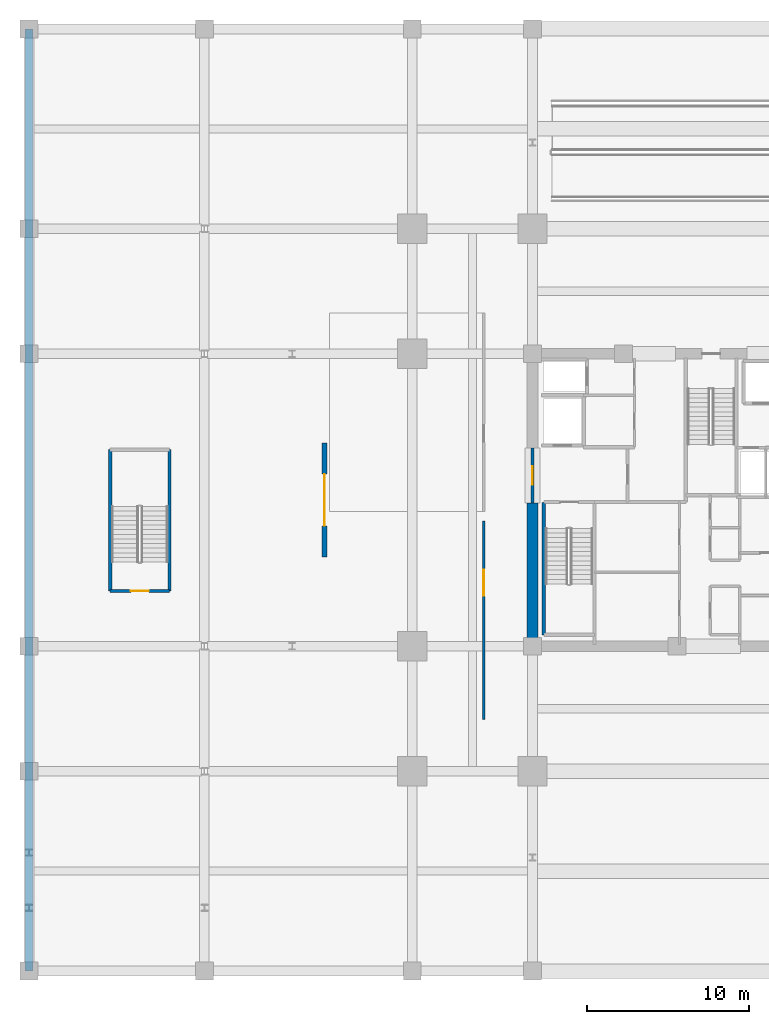
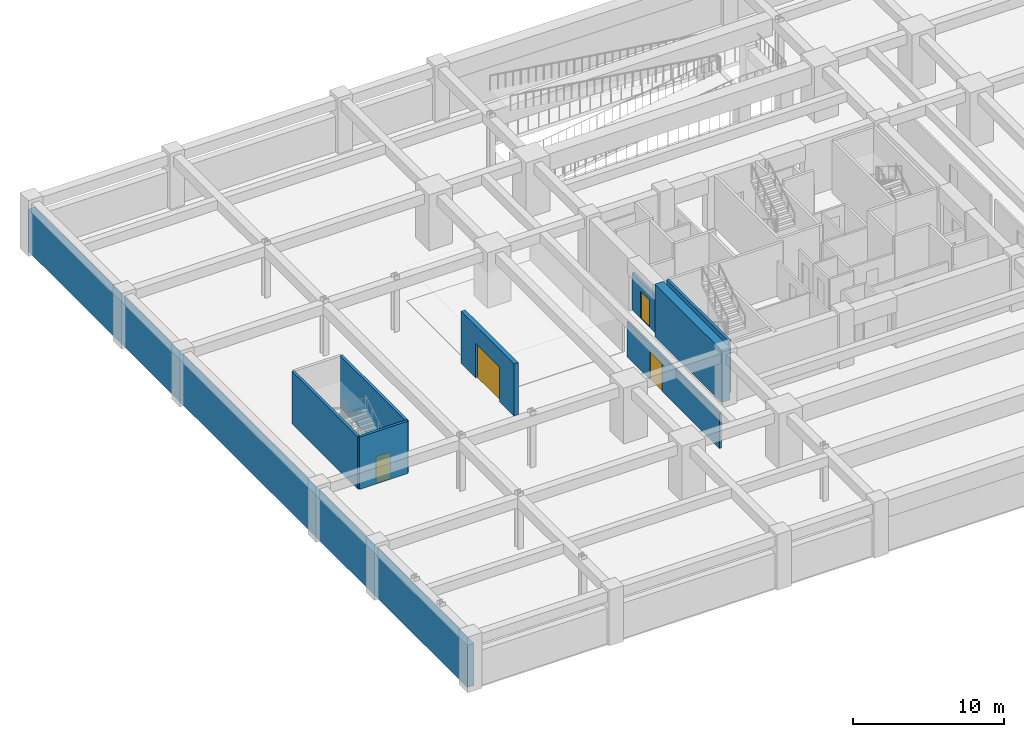
# One storey, part 6 of 16: 9 walls, 4 doors, 4 openings.
"""IFC4 building model written with IfcOpenShell, lengths in metres."""

from ifc_helpers import new_model, si_unit, direction, frame, frame_2d, origin, place, context, subcontext, project, spatial, rectangle, extrude, material, layer, layer_set, type_object, element, fill, save


model = new_model("IFC4")

# Units and contexts
model_context = context("Model", 3, precision=1e-05, world=origin(), true_north=direction((0.0, 1.0)))
body_context = subcontext(model_context, "Body", "Model", "MODEL_VIEW")
ifc_project = project(units=[si_unit("LENGTHUNIT", "METRE"), si_unit("AREAUNIT", "SQUARE_METRE"), si_unit("VOLUMEUNIT", "CUBIC_METRE"), si_unit("PLANEANGLEUNIT", "RADIAN"), si_unit("MASSUNIT", "GRAM", prefix="KILO")], contexts=[model_context])

# Site, building, storey
site_placement = place(None, origin())
site = spatial("IfcSite", under=ifc_project, at=site_placement, CompositionType="ELEMENT")
building_placement = place(site_placement, origin())
building = spatial("IfcBuilding", under=site, at=building_placement, Name="Kovane Verandah Tower", CompositionType="ELEMENT")
storey_placement = place(building_placement, frame((0.0, 0.0, -4.5)))
storey = spatial("IfcBuildingStorey", under=building, at=storey_placement, Name="B1", CompositionType="ELEMENT", Elevation=-4.5)

# Wall, opening, door
ifc_material_1 = material(Name="Fire-Rated Gypsum Stud Partition", Category="gypsum")
ifc_layer_1 = layer(ifc_material_1, 0.14990234375)
ifc_layer_set_1 = layer_set([ifc_layer_1], Name="Fire-Rated Gypsum Stud Partition")
wall_type_1 = type_object("IfcWallType", Name="WL-COR-150", PredefinedType="PARTITIONING", material=ifc_layer_set_1)
wall_1_placement = place(storey_placement, frame((26.0, 14.0, 0.0), z_axis=(0.0, 0.0, 1.0), x_axis=(0.0, 1.0, 0.0)))
wall_1 = element("IfcWall", 1, at=wall_1_placement, inside=storey, type_object=wall_type_1, Name="B1 HV Transformer and Switchgear Plant Room Corridor Partition", PredefinedType="PARTITIONING", context=body_context, shape_type="SweptSolid", body=[
    extrude(rectangle(XDim=12.199951171875, YDim=0.14990234375, at=frame_2d((6.10009765625, 0.0))), origin(), (0.0, 0.0, 1.0), 2.85009765625),
])
opening_1_placement = place(wall_1_placement, frame((7.60009765625, 0.0, 0.0)))
opening_1 = element("IfcOpeningElement", 2, at=opening_1_placement, cuts=wall_1, Name="Opening DR-B1-019", PredefinedType="OPENING", context=body_context, shape_type="SweptSolid", body=[
    extrude(rectangle(XDim=1.60009765625, YDim=2.25, at=frame_2d((0.800048828125, 1.125))), frame((0.0, 0.074951171875, 0.0), z_axis=(0.0, -1.0, 0.0), x_axis=(1.0, 0.0, 0.0)), (0.0, 0.0, 1.0), 0.14990234375),
])
ifc_material_2 = material(Name="Louvred Acoustic Steel Double Plant Door", Category="steel")
door_type_1 = type_object("IfcDoorType", Name="DR-PLANT-1600", OperationType="DOUBLE_DOOR_SINGLE_SWING", PredefinedType="DOOR", material=ifc_material_2)
door_1_placement = place(opening_1_placement, origin())
door_1 = element("IfcDoor", 3, at=door_1_placement, inside=storey, type_object=door_type_1, Name="B1 HV Transformer and Switchgear Plant Room Entrance Door", OperationType="DOUBLE_DOOR_SINGLE_SWING", OverallHeight=2.25, OverallWidth=1.60009765625, PredefinedType="DOOR", context=body_context, shape_type="SweptSolid", body=[
    extrude(rectangle(XDim=1.60009765625, YDim=2.25, at=frame_2d((0.800048828125, 1.125))), frame((0.0, 0.02490234375, 0.0), z_axis=(0.0, -1.0, 0.0), x_axis=(1.0, 0.0, 0.0)), (0.0, 0.0, 1.0), 0.050048828125),
])
fill(opening_1, door_1)

# Wall
ifc_material_3 = material(Name="Concrete C80/95", Category="concrete")
ifc_layer_2 = layer(ifc_material_3, 0.64990234375)
ifc_layer_set_2 = layer_set([ifc_layer_2], Name="Concrete C80/95")
wall_type_2 = type_object("IfcWallType", Name="WL-CORE-650", PredefinedType="SHEAR", material=ifc_layer_set_2)
wall_2_placement = place(storey_placement, frame((29.0, 18.5, 0.0), z_axis=(0.0, 0.0, 1.0), x_axis=(0.0, 1.0, 0.0)))
element("IfcWall", 4, at=wall_2_placement, inside=storey, type_object=wall_type_2, Name="B1 Core Shear Wall CW-1", PredefinedType="SHEAR", context=body_context, shape_type="SweptSolid", body=[
    extrude(rectangle(XDim=8.800048828125, YDim=0.64990234375, at=frame_2d((4.39990234375, 0.0))), origin(), (0.0, 0.0, 1.0), 4.219970703125),
])

# Wall, opening, door
ifc_material_4 = material(Name="Concrete C45/55 Fire Wall", Category="concrete")
ifc_layer_3 = layer(ifc_material_4, 0.199951171875)
ifc_layer_set_3 = layer_set([ifc_layer_3], Name="Concrete C45/55 Fire Wall")
wall_type_3 = type_object("IfcWallType", Name="WL-FFL-200", PredefinedType="PARTITIONING", material=ifc_layer_set_3)
wall_3_placement = place(storey_placement, frame((29.0, 27.300048828125, 0.0), z_axis=(0.0, 0.0, 1.0), x_axis=(0.0, 1.0, 0.0)))
wall_3 = element("IfcWall", 5, at=wall_3_placement, inside=storey, type_object=wall_type_3, Name="W-B1-FFLW-OUT", PredefinedType="PARTITIONING", context=body_context, shape_type="SweptSolid", body=[
    extrude(rectangle(XDim=3.39990234375, YDim=0.199951171875, at=frame_2d((1.699951171875, 0.0))), origin(), (0.0, 0.0, 1.0), 3.0),
])
opening_2_placement = place(wall_3_placement, frame((1.125, 0.0, 0.0)))
opening_2 = element("IfcOpeningElement", 6, at=opening_2_placement, cuts=wall_3, Name="Opening DR-B1-005", PredefinedType="OPENING", context=body_context, shape_type="SweptSolid", body=[
    extrude(rectangle(XDim=1.14990234375, YDim=2.199951171875, at=frame_2d((0.574951171875, 1.10009765625))), frame((0.0, 0.10009765625, 0.0), z_axis=(0.0, -1.0, 0.0), x_axis=(1.0, 0.0, 0.0)), (0.0, 0.0, 1.0), 0.199951171875),
])
ifc_material_5 = material(Name="Smoke-Sealed Firefighting Lobby Door", Category="steel")
door_type_2 = type_object("IfcDoorType", Name="DR-FFL-1150", OperationType="SINGLE_SWING_LEFT", PredefinedType="DOOR", material=ifc_material_5)
door_2_placement = place(opening_2_placement, origin())
door_2 = element("IfcDoor", 7, at=door_2_placement, inside=storey, type_object=door_type_2, Name="B1 West Firefighting Lobby Corridor Door", OperationType="SINGLE_SWING_RIGHT", OverallHeight=2.199951171875, OverallWidth=1.14990234375, PredefinedType="DOOR", context=body_context, shape_type="SweptSolid", body=[
    extrude(rectangle(XDim=1.14990234375, YDim=2.199951171875, at=frame_2d((0.574951171875, 1.10009765625))), frame((0.0, 0.02490234375, 0.0), z_axis=(0.0, -1.0, 0.0), x_axis=(1.0, 0.0, 0.0)), (0.0, 0.0, 1.0), 0.050048828125),
])
fill(opening_2, door_2)

ifc_material_6 = material(Name="Concrete C45/55 Podium Facade Wall", Category="concrete")
ifc_layer_4 = layer(ifc_material_6, 0.320068359375)
ifc_layer_set_4 = layer_set([ifc_layer_4], Name="Concrete C45/55 Podium Facade Wall")
wall_type_4 = type_object("IfcWallType", Name="WL-POD-320", PredefinedType="SOLIDWALL", material=ifc_layer_set_4)
wall_4_placement = place(storey_placement, frame((16.199951171875, 24.0, 0.0), z_axis=(0.0, 0.0, 1.0), x_axis=(0.0, 1.0, 0.0)))
wall_4 = element("IfcWall", 8, at=wall_4_placement, inside=storey, type_object=wall_type_4, Name="B1 Service Bay Enclosure Wall 1", PredefinedType="SOLIDWALL", context=body_context, shape_type="SweptSolid", body=[
    extrude(rectangle(XDim=7.0, YDim=0.320068359375, at=frame_2d((3.5, 0.0))), origin(), (0.0, 0.0, 1.0), 4.219970703125),
])
opening_3_placement = place(wall_4_placement, frame((1.89990234375, 0.0, 0.0)))
opening_3 = element("IfcOpeningElement", 9, at=opening_3_placement, cuts=wall_4, Name="Opening VG-B1-001", PredefinedType="OPENING", context=body_context, shape_type="SweptSolid", body=[
    extrude(rectangle(XDim=3.199951171875, YDim=2.800048828125, at=frame_2d((1.60009765625, 1.39990234375))), frame((0.0, 0.16015625, 0.0), z_axis=(0.0, -1.0, 0.0), x_axis=(1.0, 0.0, 0.0)), (0.0, 0.0, 1.0), 0.320068359375),
])
ifc_material_7 = material(Name="Galvanised Steel Service Bay Roller Gate", Category="steel")
door_type_3 = type_object("IfcDoorType", Name="DR-GATE-3200x2800", OperationType="ROLLINGUP", PredefinedType="GATE", material=ifc_material_7)
door_3_placement = place(opening_3_placement, origin())
door_3 = element("IfcDoor", 10, at=door_3_placement, inside=storey, type_object=door_type_3, Name="B1 Service Roller Gate 1", OperationType="ROLLINGUP", OverallHeight=2.800048828125, OverallWidth=3.199951171875, PredefinedType="GATE", context=body_context, shape_type="SweptSolid", body=[
    extrude(rectangle(XDim=3.199951171875, YDim=2.800048828125, at=frame_2d((1.60009765625, 1.39990234375))), frame((0.0, 0.02490234375, 0.0), z_axis=(0.0, -1.0, 0.0), x_axis=(1.0, 0.0, 0.0)), (0.0, 0.0, 1.0), 0.050048828125),
])
fill(opening_3, door_3)

# Walls
ifc_material_8 = material(Name="Concrete C45/55", Category="concrete")
ifc_layer_5 = layer(ifc_material_8, 0.5)
ifc_layer_set_5 = layer_set([ifc_layer_5], Name="Concrete C45/55")
wall_type_5 = type_object("IfcWallType", Name="WL-RET-500", PredefinedType="USERDEFINED", material=ifc_layer_set_5)
wall_5_placement = place(storey_placement, frame((-2.0, 56.5, 0.0), z_axis=(0.0, 0.0, 1.0), x_axis=(0.0, -1.0, 0.0)))
element("IfcWall", 11, at=wall_5_placement, inside=storey, type_object=wall_type_5, Name="B1 Basement Perimeter Wall RW", ObjectType="RETAININGWALL", PredefinedType="USERDEFINED", context=body_context, shape_type="SweptSolid", body=[
    extrude(rectangle(XDim=58.0, YDim=0.5, at=frame_2d((29.0, 0.0))), origin(), (0.0, 0.0, 1.0), 3.39990234375),
])
ifc_layer_6 = layer(ifc_material_8, 0.199951171875)
ifc_layer_set_6 = layer_set([ifc_layer_6], Name="Concrete C45/55")
wall_type_6 = type_object("IfcWallType", Name="WL-SHAFT-200", PredefinedType="SOLIDWALL", material=ifc_layer_set_6)
wall_6_placement = place(storey_placement, frame((29.699951171875, 19.199951171875, 0.0), z_axis=(0.0, 0.0, 1.0), x_axis=(0.0, 1.0, 0.0)))
element("IfcWall", 12, at=wall_6_placement, inside=storey, type_object=wall_type_6, Name="W-B1-ST01-W", PredefinedType="SOLIDWALL", context=body_context, shape_type="SweptSolid", body=[
    extrude(rectangle(XDim=8.150146484375, YDim=0.199951171875, at=frame_2d((4.0751953125, 0.0))), origin(), (0.0, 0.0, 1.0), 4.219970703125),
])
for number, where, z_axis, x_axis, name in (
    (13, (3.0, 21.89990234375, 0.0), (0.0, 0.0, 1.0), (0.0, 1.0, 0.0), "W-B1-ST-04-W"),
    (14, (6.659912109375, 21.89990234375, 0.0), (0.0, 0.0, 1.0), (0.0, 1.0, 0.0), "W-B1-ST-04-E"),
):
    element("IfcWall", number, at=place(storey_placement, frame(where, z_axis=z_axis, x_axis=x_axis)), inside=storey, type_object=wall_type_6, Name=name, PredefinedType="SOLIDWALL", context=body_context, shape_type="SweptSolid", body=[
        extrude(rectangle(XDim=8.7001953125, YDim=0.199951171875, at=frame_2d((4.35009765625, 0.0))), origin(), (0.0, 0.0, 1.0), 4.219970703125),
    ])

# Wall, opening, door
wall_7_placement = place(storey_placement, frame((3.0, 21.89990234375, 0.0), z_axis=(0.0, 0.0, 1.0), x_axis=(1.0, 0.0, 0.0)))
wall_7 = element("IfcWall", 15, at=wall_7_placement, inside=storey, type_object=wall_type_6, Name="W-B1-ST-04-S", PredefinedType="SOLIDWALL", context=body_context, shape_type="SweptSolid", body=[
    extrude(rectangle(XDim=3.659912109375, YDim=0.199951171875, at=frame_2d((1.830078125, 0.0))), origin(), (0.0, 0.0, 1.0), 4.219970703125),
])
opening_4_placement = place(wall_7_placement, frame((1.280029296875, 0.0, 0.0)))
opening_4 = element("IfcOpeningElement", 16, at=opening_4_placement, cuts=wall_7, Name="Opening DR-B1-010", PredefinedType="OPENING", context=body_context, shape_type="SweptSolid", body=[
    extrude(rectangle(XDim=1.10009765625, YDim=2.14990234375, at=frame_2d((0.550048828125, 1.074951171875))), frame((0.0, 0.10009765625, 0.0), z_axis=(0.0, -1.0, 0.0), x_axis=(1.0, 0.0, 0.0)), (0.0, 0.0, 1.0), 0.199951171875),
])
ifc_material_9 = material(Name="Fire-Rated Steel Exit Door", Category="steel")
door_type_4 = type_object("IfcDoorType", Name="DR-STAIR-1100", OperationType="SINGLE_SWING_LEFT", PredefinedType="DOOR", material=ifc_material_9)
door_4_placement = place(opening_4_placement, origin())
door_4 = element("IfcDoor", 17, at=door_4_placement, inside=storey, type_object=door_type_4, Name="B1 ST-04 Fire Exit Stair Door", OperationType="SINGLE_SWING_RIGHT", OverallHeight=2.14990234375, OverallWidth=1.10009765625, PredefinedType="DOOR", context=body_context, shape_type="SweptSolid", body=[
    extrude(rectangle(XDim=1.10009765625, YDim=2.14990234375, at=frame_2d((0.550048828125, 1.074951171875))), frame((0.0, 0.02490234375, 0.0), z_axis=(0.0, -1.0, 0.0), x_axis=(1.0, 0.0, 0.0)), (0.0, 0.0, 1.0), 0.050048828125),
])
fill(opening_4, door_4)

save(model, "model.ifc")
